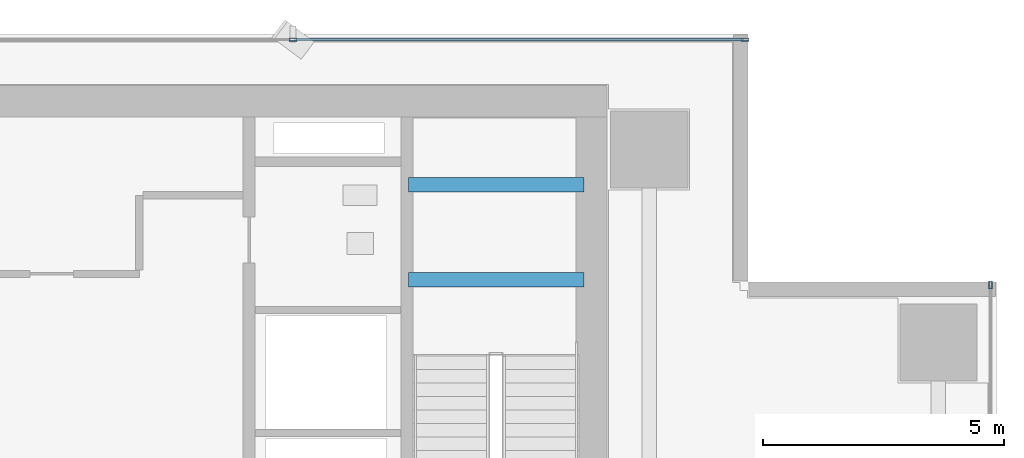
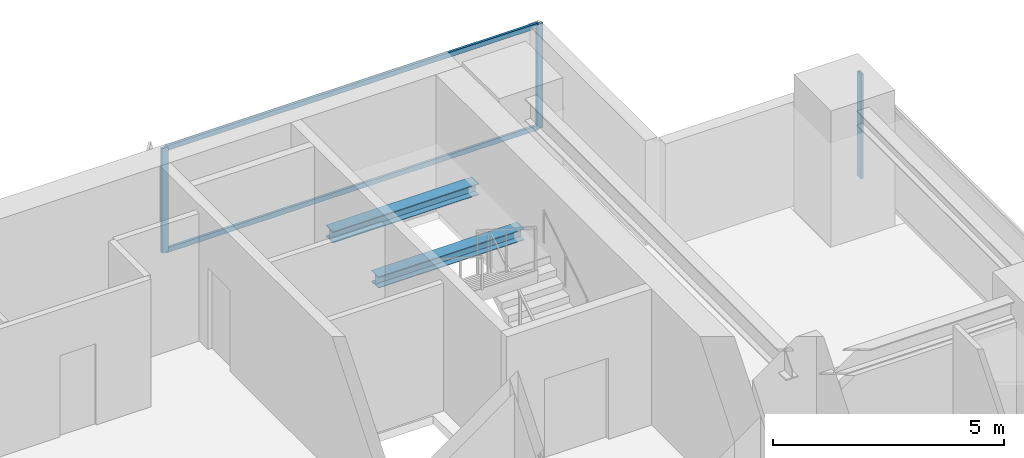
# One storey, part 19 of 28: 5 members, 2 beams, 2 elements without a shape of their own.
"""IFC4 building model written with IfcOpenShell, lengths in metres."""

import ifcopenshell
import ifcopenshell.guid

model = None  # the IFC model being written
_history = None  # IfcOwnerHistory: only IFC2X3 demands one
_inside = {}  # id of a spatial element -> (the spatial element, [elements in it])
_under = {}  # id of a project, library or spatial element -> (it, [spatial elements below it])
_declared = {}  # id of a project -> (the project, [libraries it declares])
_typed = {}  # id of a type object -> (the type object, [elements of that type])
_made_of = {}  # id of a material, layer set ... -> (it, [elements and type objects made of it])


def new_model(schema):
    """Start an empty IFC model of exactly this schema.

    Asked for "IFC4X3", IfcOpenShell would pick the latest addendum, in which some entities
    have other attributes; the version numbers below select the first issue.
    IFC2X3 requires an IfcOwnerHistory on every rooted entity: one is made here for all.
    """
    global model, _history
    if schema == "IFC4X3":
        model = ifcopenshell.file(schema_version=(4, 3, 0, 0))
    else:
        model = ifcopenshell.file(schema=schema)
    _inside.clear()
    _under.clear()
    _declared.clear()
    _typed.clear()
    _made_of.clear()
    _history = None
    if model.schema == "IFC2X3":
        org = make("IfcOrganization", Name="unknown")
        user = make(
            "IfcPersonAndOrganization",
            ThePerson=make("IfcPerson", FamilyName="unknown"),
            TheOrganization=org,
        )
        app = make(
            "IfcApplication",
            ApplicationDeveloper=org,
            Version="unknown",
            ApplicationFullName="unknown",
            ApplicationIdentifier="unknown",
        )
        _history = make(
            "IfcOwnerHistory",
            OwningUser=user,
            OwningApplication=app,
            ChangeAction="ADDED",
            CreationDate=0,
        )
    return model


def make(cls, **values):
    """One entity of the class cls with the attributes given. An attribute that is None is left unset."""
    return model.create_entity(
        cls, **{name: value for name, value in values.items() if value is not None}
    )


def rooted(cls, **values):
    """An entity with a GlobalId (a new one), such as an element, a storey or a relation."""
    return make(cls, GlobalId=ifcopenshell.guid.new(), OwnerHistory=_history, **values)


def si_unit(unit_type, name, prefix=None):
    """IfcSIUnit, for example si_unit("LENGTHUNIT", "METRE", prefix="MILLI")."""
    return make("IfcSIUnit", UnitType=unit_type, Prefix=prefix, Name=name)


def assignment(units):
    """IfcUnitAssignment: the units of a project."""
    return None if units is None else make("IfcUnitAssignment", Units=units)


def point(xyz):
    """IfcCartesianPoint."""
    return None if xyz is None else make("IfcCartesianPoint", Coordinates=xyz)


def direction(xyz):
    """IfcDirection."""
    return None if xyz is None else make("IfcDirection", DirectionRatios=xyz)


def frame(location, z_axis=None, x_axis=None):
    """IfcAxis2Placement3D, a coordinate frame: its origin and axes. An axis left out is left unset."""
    return make(
        "IfcAxis2Placement3D",
        Location=point(location),
        Axis=direction(z_axis),
        RefDirection=direction(x_axis),
    )


def frame_2d(location, x_axis=None):
    """IfcAxis2Placement2D, a coordinate frame in the plane: its origin and x axis."""
    return make(
        "IfcAxis2Placement2D", Location=point(location), RefDirection=direction(x_axis)
    )


def origin():
    """The frame at (0, 0, 0) with its axes left unset."""
    return frame((0.0, 0.0, 0.0))


def origin_2d():
    """The frame at (0, 0) in the plane with its x axis left unset."""
    return frame_2d((0.0, 0.0))


def place(relative_to, where):
    """IfcLocalPlacement: puts the frame where relative to a parent placement (None: the world)."""
    return make(
        "IfcLocalPlacement", PlacementRelTo=relative_to, RelativePlacement=where
    )


def context(
    kind, dimensions, precision=None, world=None, true_north=None, identifier=None
):
    """IfcGeometricRepresentationContext, for example the 3D "Model" context."""
    return make(
        "IfcGeometricRepresentationContext",
        ContextIdentifier=identifier,
        ContextType=kind,
        CoordinateSpaceDimension=dimensions,
        Precision=precision,
        WorldCoordinateSystem=world,
        TrueNorth=true_north,
    )


def subcontext(parent, identifier, kind, view, scale=None):
    """IfcGeometricRepresentationSubContext, for example "Body" below "Model"."""
    return make(
        "IfcGeometricRepresentationSubContext",
        ContextIdentifier=identifier,
        ContextType=kind,
        ParentContext=parent,
        TargetScale=scale,
        TargetView=view,
    )


def project(units=None, contexts=None):
    """IfcProject with its units and contexts."""
    return rooted(
        "IfcProject",
        Name="project",
        RepresentationContexts=contexts,
        UnitsInContext=assignment(units),
    )


def spatial(cls, under=None, at=None, **own):
    """A site, building, storey or space (cls), placed at a placement, below another one or the project."""
    s = rooted(cls, ObjectPlacement=at, **own)
    if under is not None:
        _under.setdefault(under.id(), (under, []))[1].append(s)
    return s


def profile(cls, at=None, kind="AREA", **sizes):
    """A parametric profile (cls). Its sizes go by their IFC names, for example OverallWidth=200.0."""
    return make(cls, ProfileType=kind, Position=at, **sizes)


def hollow_rectangle(**sizes):
    """IfcRectangleHollowProfileDef."""
    return profile("IfcRectangleHollowProfileDef", **sizes)


def i_section(**sizes):
    """IfcIShapeProfileDef."""
    return profile("IfcIShapeProfileDef", **sizes)


def extrude(swept, where, along, depth):
    """IfcExtrudedAreaSolid: the profile swept, set in the frame where, extruded along a direction by depth."""
    return make(
        "IfcExtrudedAreaSolid",
        SweptArea=swept,
        Position=where,
        ExtrudedDirection=direction(along),
        Depth=depth,
    )


def shape(context_of_items, identifier, shape_type, items):
    """IfcShapeRepresentation: the items that make up one representation, for example the "Body"."""
    return make(
        "IfcShapeRepresentation",
        ContextOfItems=context_of_items,
        RepresentationIdentifier=identifier,
        RepresentationType=shape_type,
        Items=items,
    )


def source(mapping_origin, context_of_items, identifier, shape_type, items):
    """IfcRepresentationMap: a shape defined once, which mapped items show again and again."""
    return make(
        "IfcRepresentationMap",
        MappingOrigin=mapping_origin,
        MappedRepresentation=shape(context_of_items, identifier, shape_type, items),
    )


def transform(
    local_origin,
    x_axis=None,
    y_axis=None,
    z_axis=None,
    scale=None,
    scale2=None,
    scale3=None,
    uniform=True,
):
    """IfcCartesianTransformationOperator3D, or its non-uniform kind. x_axis, y_axis, z_axis: its Axis1, 2, 3."""
    if uniform:
        return make(
            "IfcCartesianTransformationOperator3D",
            Axis1=direction(x_axis),
            Axis2=direction(y_axis),
            LocalOrigin=point(local_origin),
            Scale=scale,
            Axis3=direction(z_axis),
        )
    return make(
        "IfcCartesianTransformationOperator3DnonUniform",
        Axis1=direction(x_axis),
        Axis2=direction(y_axis),
        LocalOrigin=point(local_origin),
        Scale=scale,
        Axis3=direction(z_axis),
        Scale2=scale2,
        Scale3=scale3,
    )


def mapped(mapping_source, mapping_target):
    """IfcMappedItem: shows the shape of a source again, moved by a transform."""
    return make(
        "IfcMappedItem", MappingSource=mapping_source, MappingTarget=mapping_target
    )


def material(Name=None, Category=None):
    """IfcMaterial."""
    return make("IfcMaterial", Name=Name, Category=Category)


def layer(
    of_material, thickness, ventilated=None, Name=None, Category=None, Priority=None
):
    """IfcMaterialLayer: one layer of a wall or slab, of a material (None: an air gap)."""
    return make(
        "IfcMaterialLayer",
        Material=of_material,
        LayerThickness=thickness,
        IsVentilated=ventilated,
        Name=Name,
        Category=Category,
        Priority=Priority,
    )


def layer_set(layers, Name=None):
    """IfcMaterialLayerSet."""
    return make("IfcMaterialLayerSet", MaterialLayers=layers, LayerSetName=Name)


def material_profile(
    of_material, cross_section, Name=None, Category=None, Priority=None
):
    """IfcMaterialProfile: a cross section and its material."""
    return make(
        "IfcMaterialProfile",
        Name=Name,
        Material=of_material,
        Profile=cross_section,
        Priority=Priority,
        Category=Category,
    )


def profile_set(profiles, Name=None, composite=None):
    """IfcMaterialProfileSet."""
    return make(
        "IfcMaterialProfileSet",
        Name=Name,
        MaterialProfiles=profiles,
        CompositeProfile=composite,
    )


def made_of(thing, what):
    """Note that an element or type object is made of a material, layer set ...; save() writes the relation."""
    if what is not None:
        _made_of.setdefault(what.id(), (what, []))[1].append(thing)
    return thing


def type_object(cls, material=None, **own):
    """A type object (cls), such as IfcWallType, which elements share."""
    return made_of(rooted(cls, **own), material)


def element(
    cls,
    number,
    at=None,
    inside=None,
    cuts=None,
    type_object=None,
    material=None,
    context=None,
    identifier="Body",
    shape_type=None,
    held_by="IfcProductDefinitionShape",
    body=None,
    shapes=None,
    **own,
):
    """One element of the class cls, such as IfcWall. Its Tag is "e" and its number.

    at: its placement. inside: the storey or other place that contains it. cuts: it is an
    opening in that element (IfcRelVoidsElement). A single representation is given by context,
    identifier, shape_type and body (its items); several are given by shapes. held_by: the class
    of the entity that holds the representations. save() writes the other relations.
    """
    e = rooted(cls, Tag="e%d" % number, ObjectPlacement=at, **own)
    if body is not None:
        shapes = [shape(context, identifier, shape_type, body)]
    if shapes is not None:
        e.Representation = make(held_by, Representations=shapes)
    if inside is not None:
        _inside.setdefault(inside.id(), (inside, []))[1].append(e)
    if cuts is not None:
        rooted(
            "IfcRelVoidsElement", RelatingBuildingElement=cuts, RelatedOpeningElement=e
        )
    if type_object is not None:
        _typed.setdefault(type_object.id(), (type_object, []))[1].append(e)
    return made_of(e, material)


def aggregate(whole, parts):
    """IfcRelAggregates: a whole, such as a stair, and the parts it consists of."""
    return rooted("IfcRelAggregates", RelatingObject=whole, RelatedObjects=parts)


def save(model, path):
    """Write the relations noted so far, then the file.

    IfcRelAggregates (storeys below a building ...), IfcRelContainedInSpatialStructure (elements
    in a storey), IfcRelDefinesByType, IfcRelAssociatesMaterial and IfcRelDeclares: one each for
    every whole, place, type object, material and project.
    """
    for whole, parts in _under.values():
        aggregate(whole, parts)
    for where, things in _inside.values():
        rooted(
            "IfcRelContainedInSpatialStructure",
            RelatedElements=things,
            RelatingStructure=where,
        )
    for kind, things in _typed.values():
        rooted("IfcRelDefinesByType", RelatedObjects=things, RelatingType=kind)
    for what, things in _made_of.values():
        rooted("IfcRelAssociatesMaterial", RelatedObjects=things, RelatingMaterial=what)
    for by, libraries in _declared.values():
        rooted("IfcRelDeclares", RelatingContext=by, RelatedDefinitions=libraries)
    model.write(path)


model = new_model("IFC4")

# Units and contexts
model_context = context("Model", 3, precision=1e-05, world=origin(), true_north=direction((0.0, 1.0)))
body_context = subcontext(model_context, "Body", "Model", "MODEL_VIEW")
ifc_project = project(units=[si_unit("LENGTHUNIT", "METRE"), si_unit("AREAUNIT", "SQUARE_METRE"), si_unit("VOLUMEUNIT", "CUBIC_METRE"), si_unit("PLANEANGLEUNIT", "RADIAN"), si_unit("MASSUNIT", "GRAM", prefix="KILO")], contexts=[model_context])

# Site, building, storey
site_placement = place(None, origin())
site = spatial("IfcSite", under=ifc_project, at=site_placement, CompositionType="ELEMENT")
building_placement = place(site_placement, origin())
building = spatial("IfcBuilding", under=site, at=building_placement, Name="Sumidabori Civic Tower", CompositionType="ELEMENT")
storey_placement = place(building_placement, frame((0.0, 0.0, 182.0)))
storey = spatial("IfcBuildingStorey", under=building, at=storey_placement, Name="L47", CompositionType="ELEMENT", Elevation=182.0)

# Beams
ifc_material_1 = material(Name="Steel SN490", Category="steel")
ifc_material_profile_1 = material_profile(ifc_material_1, i_section(OverallWidth=0.300048828125, OverallDepth=0.300048828125, WebThickness=0.010986328125, FlangeThickness=0.01904296875, at=origin_2d()), Name="HE 300 B")
ifc_profile_set_1 = profile_set([ifc_material_profile_1], Name="Steel SN490")
beam_type = type_object("IfcBeamType", Name="BM-LDG-300", PredefinedType="BEAM", material=ifc_profile_set_1)
shared_shape_1 = source(origin(), body_context, "Body", "SweptSolid", [
    extrude(i_section(OverallWidth=0.300048828125, OverallDepth=0.300048828125, WebThickness=0.010986328125, FlangeThickness=0.01904296875, at=origin_2d()), origin(), (0.0, 0.0, 1.0), 3.64990234375),
])
for number, where, z_axis, x_axis, name in (
    (1, (11.800048828125, 20.09765625, 1.449951171875), (1.0, 0.0, 0.0), (0.0, 1.0, 0.0), "Stair ST-2 Landing Support Beam L47-1A"),
    (2, (11.800048828125, 22.069580078125, 1.449951171875), (1.0, 0.0, 0.0), (0.0, 1.0, 0.0), "Stair ST-2 Landing Trimmer Beam L47-1B"),
):
    element("IfcBeam", number, at=place(storey_placement, frame(where, z_axis=z_axis, x_axis=x_axis)), inside=storey, type_object=beam_type, Name=name, PredefinedType="BEAM", context=body_context, shape_type="MappedRepresentation", body=[
        mapped(shared_shape_1, transform((0.0, 0.0, 0.0), x_axis=(1.0, 0.0, 0.0), y_axis=(0.0, 1.0, 0.0), z_axis=(0.0, 0.0, 1.0), scale=1.0)),
    ])

# Curtain wall, member
ifc_material_2 = material(Name="Anodised Bronze Aluminium AW-6063-T6", Category="aluminium")
ifc_layer = layer(ifc_material_2, 0.179931640625, Name="Anodised Bronze Aluminium AW-6063-T6")
ifc_layer_set = layer_set([ifc_layer], Name="Anodised Bronze Aluminium AW-6063-T6")
curtain_wall_type = type_object("IfcCurtainWallType", Name="CW-SYS-3", PredefinedType="NOTDEFINED", material=ifc_layer_set)
curtain_wall_1_placement = place(storey_placement, origin())
curtain_wall_1 = element("IfcCurtainWall", 3, at=curtain_wall_1_placement, inside=storey, type_object=curtain_wall_type, Name="Curtain Wall CW:L47:R04", PredefinedType="NOTDEFINED")
ifc_material_profile_2 = material_profile(ifc_material_2, hollow_rectangle(XDim=0.06494140625, YDim=0.159912109375, WallThickness=0.0048828125, at=origin_2d()), Name="ALU MULLION 160x65")
ifc_profile_set_2 = profile_set([ifc_material_profile_2], Name="Anodised Bronze Aluminium AW-6063-T6")
member_type_1 = type_object("IfcMemberType", Name="CW-MUL-160", PredefinedType="MULLION", material=ifc_profile_set_2)
shared_shape_2 = source(origin(), body_context, "Body", "SweptSolid", [
    extrude(hollow_rectangle(XDim=0.06494140625, YDim=0.159912109375, WallThickness=0.0048828125, at=origin_2d()), origin(), (0.0, 0.0, 1.0), 2.760009765625),
])
member_1_placement = place(storey_placement, frame((23.8798828125, 19.987548828125, 0.0), z_axis=(0.0, 0.0, 1.0), x_axis=(-1.0, 0.0, 0.0)))
member_1 = element("IfcMember", 4, at=member_1_placement, type_object=member_type_1, Name="CW-3 mullion 5", PredefinedType="MULLION", context=body_context, shape_type="MappedRepresentation", body=[
    mapped(shared_shape_2, transform((0.0, 0.0, 0.0), x_axis=(1.0, 0.0, 0.0), y_axis=(0.0, 1.0, 0.0), z_axis=(0.0, 0.0, 1.0), scale=1.0)),
])
aggregate(curtain_wall_1, [member_1])

# Curtain wall, members
curtain_wall_2_placement = place(storey_placement, origin())
curtain_wall_2 = element("IfcCurtainWall", 5, at=curtain_wall_2_placement, inside=storey, type_object=curtain_wall_type, Name="Curtain Wall CW:L47:R07", PredefinedType="NOTDEFINED")
member_2_placement = place(storey_placement, frame((18.78759765625, 25.080078125, 0.0), z_axis=(0.0, 0.0, 1.0), x_axis=(0.0, -1.0, 0.0)))
member_2 = element("IfcMember", 6, at=member_2_placement, type_object=member_type_1, Name="CW-3 mullion 1", PredefinedType="MULLION", context=body_context, shape_type="MappedRepresentation", body=[
    mapped(shared_shape_2, transform((0.0, 0.0, 0.0), x_axis=(1.0, 0.0, 0.0), y_axis=(0.0, 1.0, 0.0), z_axis=(0.0, 0.0, 1.0), scale=1.0)),
])
member_3_placement = place(storey_placement, frame((9.409912109375, 25.080078125, 0.0), z_axis=(0.0, 0.0, 1.0), x_axis=(0.0, -1.0, 0.0)))
member_3 = element("IfcMember", 7, at=member_3_placement, type_object=member_type_1, Name="CW-3 mullion 2", PredefinedType="MULLION", context=body_context, shape_type="MappedRepresentation", body=[
    mapped(shared_shape_2, transform((0.0, 0.0, 0.0), x_axis=(1.0, 0.0, 0.0), y_axis=(0.0, 1.0, 0.0), z_axis=(0.0, 0.0, 1.0), scale=1.0)),
])
ifc_material_profile_3 = material_profile(ifc_material_2, hollow_rectangle(XDim=0.06005859375, YDim=0.1298828125, WallThickness=0.0048828125, at=origin_2d()), Name="ALU TRANSOM 130x60")
ifc_profile_set_3 = profile_set([ifc_material_profile_3], Name="Anodised Bronze Aluminium AW-6063-T6")
member_type_2 = type_object("IfcMemberType", Name="CW-TRN-130", PredefinedType="USERDEFINED", material=ifc_profile_set_3)
shared_shape_3 = source(origin(), body_context, "Body", "SweptSolid", [
    extrude(hollow_rectangle(XDim=0.06005859375, YDim=0.1298828125, WallThickness=0.0048828125, at=origin_2d()), origin(), (0.0, 0.0, 1.0), 9.3125),
])
member_4_placement = place(storey_placement, frame((18.7548828125, 25.080078125, 0.030029296875), z_axis=(-1.0, 0.0, 0.0), x_axis=(0.0, -1.0, 0.0)))
member_4 = element("IfcMember", 8, at=member_4_placement, type_object=member_type_2, Name="CW-3 transom 1.1", ObjectType="TRANSOM", PredefinedType="USERDEFINED", context=body_context, shape_type="MappedRepresentation", body=[
    mapped(shared_shape_3, transform((0.0, 0.0, 0.0), x_axis=(1.0, 0.0, 0.0), y_axis=(0.0, 1.0, 0.0), z_axis=(0.0, 0.0, 1.0), scale=1.0)),
])
member_5_placement = place(storey_placement, frame((18.7548828125, 25.080078125, 2.72998046875), z_axis=(-1.0, 0.0, 0.0), x_axis=(0.0, -1.0, 0.0)))
member_5 = element("IfcMember", 9, at=member_5_placement, type_object=member_type_2, Name="CW-3 transom 1.2", ObjectType="TRANSOM", PredefinedType="USERDEFINED", context=body_context, shape_type="MappedRepresentation", body=[
    mapped(shared_shape_3, transform((0.0, 0.0, 0.0), x_axis=(1.0, 0.0, 0.0), y_axis=(0.0, 1.0, 0.0), z_axis=(0.0, 0.0, 1.0), scale=1.0)),
])
aggregate(curtain_wall_2, [member_2, member_3, member_4, member_5])

save(model, "model.ifc")
